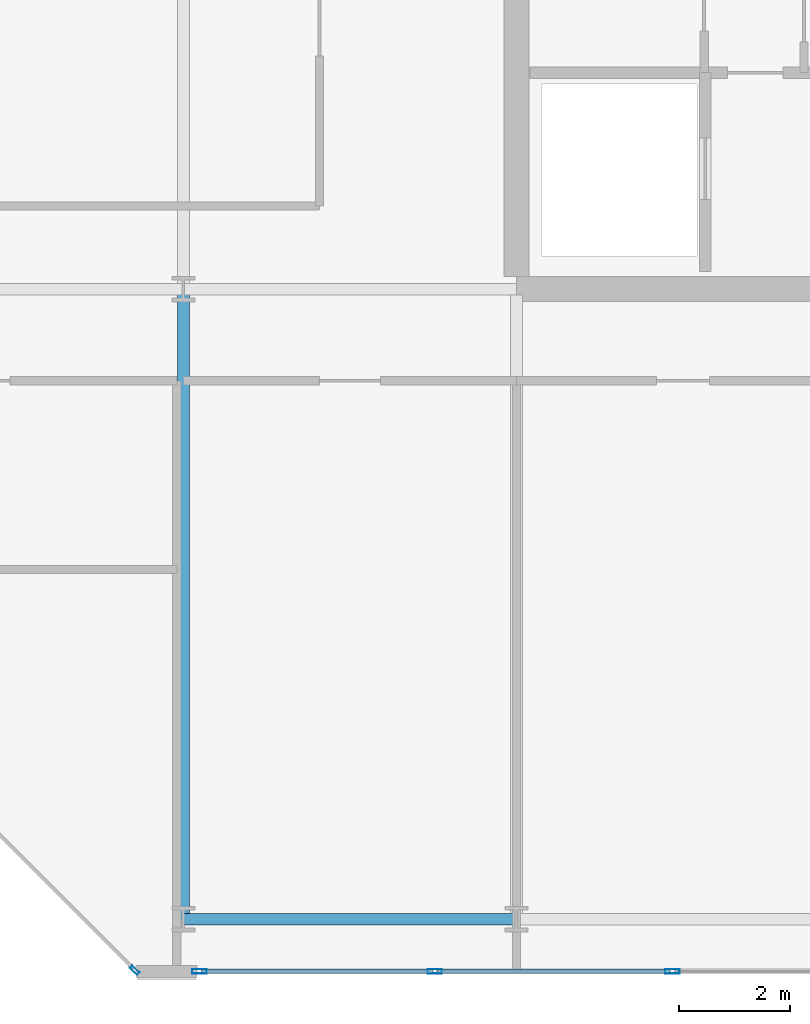
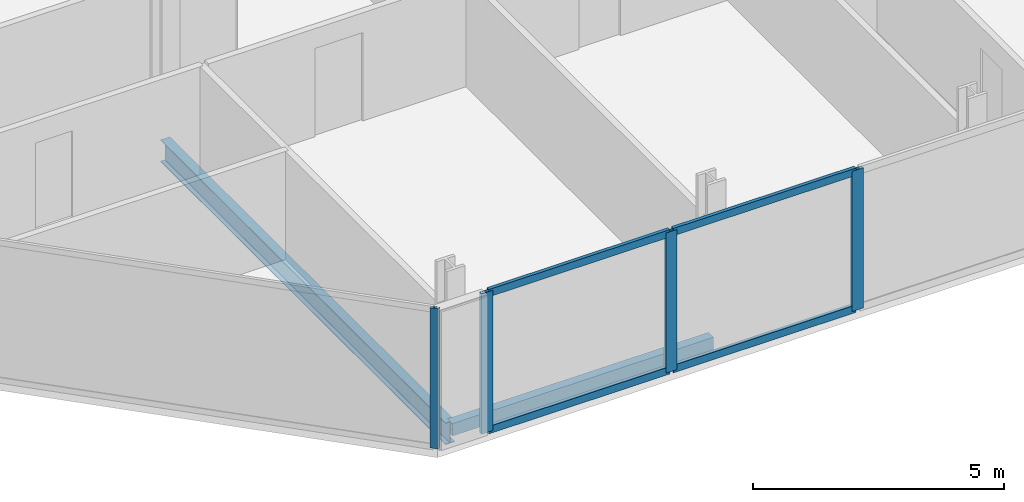
# One storey, part 2 of 17: 8 members, 2 beams, 2 elements without a shape of their own.
"""IFC4 building model written with IfcOpenShell, lengths in metres."""

from ifc_helpers import new_model, si_unit, direction, frame, origin, origin_2d, place, context, subcontext, project, spatial, hollow_rectangle, i_section, extrude, material, layer, layer_set, material_profile, profile_set, type_object, element, aggregate, save


model = new_model("IFC4")

# Units and contexts
model_context = context("Model", 3, precision=1e-05, world=origin(), true_north=direction((0.0, 1.0)))
body_context = subcontext(model_context, "Body", "Model", "MODEL_VIEW")
ifc_project = project(units=[si_unit("LENGTHUNIT", "METRE"), si_unit("AREAUNIT", "SQUARE_METRE"), si_unit("VOLUMEUNIT", "CUBIC_METRE"), si_unit("PLANEANGLEUNIT", "RADIAN"), si_unit("MASSUNIT", "GRAM", prefix="KILO")], contexts=[model_context])

# Site, building, storey
site_placement = place(None, origin())
site = spatial("IfcSite", under=ifc_project, at=site_placement, CompositionType="ELEMENT")
building_placement = place(site_placement, origin())
building = spatial("IfcBuilding", under=site, at=building_placement, Name="Tanjung Sevakor Pilgrim Tower", CompositionType="ELEMENT")
storey_placement = place(building_placement, frame((0.0, 0.0, 267.9599609375)))
storey = spatial("IfcBuildingStorey", under=building, at=storey_placement, Name="L75", CompositionType="ELEMENT", Elevation=267.9599609375)

# Beams
ifc_material_1 = material(Name="Steel S355J2", Category="steel")
ifc_material_profile_1 = material_profile(ifc_material_1, i_section(OverallWidth=0.210693359375, OverallDepth=0.53955078125, WebThickness=0.01171875, FlangeThickness=0.018798828125, FilletRadius=0.0126953125, at=origin_2d()))
ifc_profile_set_1 = profile_set([ifc_material_profile_1], Name="Steel S355J2")
beam_type_1 = type_object("IfcBeamType", Name="BM-B-G6-UB_533x210x109", PredefinedType="BEAM", material=ifc_profile_set_1)
beam_1_placement = place(storey_placement, frame((72.0, 13.25, -0.48974609375), z_axis=(0.0, 1.0, 0.0), x_axis=(-1.0, 0.0, 0.0)))
element("IfcBeam", 1, at=beam_1_placement, inside=storey, type_object=beam_type_1, Name="L75 EAST Girder 002", PredefinedType="BEAM", context=body_context, shape_type="SweptSolid", body=[
    extrude(i_section(OverallWidth=0.210693359375, OverallDepth=0.53955078125, WebThickness=0.01171875, FlangeThickness=0.018798828125, FilletRadius=0.0126953125, at=origin_2d()), origin(), (0.0, 0.0, 1.0), 11.35009765625),
])
ifc_material_2 = material(Name="Steel S355J2", Category="steel")
ifc_material_profile_2 = material_profile(ifc_material_2, hollow_rectangle(XDim=0.199951171875, YDim=0.300048828125, WallThickness=0.012451171875, at=origin_2d()))
ifc_profile_set_2 = profile_set([ifc_material_profile_2], Name="Steel S355J2")
beam_type_2 = type_object("IfcBeamType", Name="BM-B-SP3-RHS_300x200x12.5", PredefinedType="SPANDREL", material=ifc_profile_set_2)
beam_2_placement = place(storey_placement, frame((72.0, 13.25, -0.369873046875), z_axis=(1.0, 0.0, 0.0), x_axis=(0.0, 1.0, 0.0)))
element("IfcBeam", 2, at=beam_2_placement, inside=storey, type_object=beam_type_2, Name="L75 Spandrel EAST S-01", PredefinedType="SPANDREL", context=body_context, shape_type="SweptSolid", body=[
    extrude(hollow_rectangle(XDim=0.199951171875, YDim=0.300048828125, WallThickness=0.012451171875, at=origin_2d()), origin(), (0.0, 0.0, 1.0), 6.0),
])

# Curtain wall, member
ifc_material_3 = material(Name="Aluminium 6063-T6 and Low-E Glass", Category="aluminium")
ifc_layer_1 = layer(ifc_material_3, 0.179931640625)
ifc_layer_set_1 = layer_set([ifc_layer_1], Name="CW-SYS-CHAM")
curtain_wall_type_1 = type_object("IfcCurtainWallType", Name="CW-SYS-CHAM", PredefinedType="NOTDEFINED", material=ifc_layer_set_1)
curtain_wall_1_placement = place(storey_placement, origin())
curtain_wall_1 = element("IfcCurtainWall", 3, at=curtain_wall_1_placement, inside=storey, type_object=curtain_wall_type_1, Name="L75 Curtain Wall CW-CHM-L75-EAST-7", PredefinedType="NOTDEFINED")
ifc_material_4 = material(Name="Aluminium 6063-T6", Category="aluminium")
ifc_material_profile_3 = material_profile(ifc_material_4, hollow_rectangle(XDim=0.06494140625, YDim=0.179931640625, WallThickness=0.00390625, at=origin_2d()))
ifc_profile_set_3 = profile_set([ifc_material_profile_3], Name="Aluminium 6063-T6")
member_type_1 = type_object("IfcMemberType", Name="TYPE-CWM-1", PredefinedType="MULLION", material=ifc_profile_set_3)
member_1_placement = place(storey_placement, frame((71.12255859375, 12.3330078125, 0.0), z_axis=(0.0, 0.0, 1.0), x_axis=(0.707106781187, 0.707106781187, 0.0)))
member_1 = element("IfcMember", 4, at=member_1_placement, type_object=member_type_1, Name="CW-CHM mullion 2", PredefinedType="MULLION", context=body_context, shape_type="SweptSolid", body=[
    extrude(hollow_rectangle(XDim=0.06494140625, YDim=0.179931640625, WallThickness=0.00390625, at=origin_2d()), origin(), (0.0, 0.0, 1.0), 3.41015625),
])
aggregate(curtain_wall_1, [member_1])

# Curtain wall, members
ifc_material_5 = material(Name="Aluminium 6063-T6 and Low-E Glass", Category="aluminium")
ifc_layer_2 = layer(ifc_material_5, 0.219970703125)
ifc_layer_set_2 = layer_set([ifc_layer_2], Name="CW-SYS-CRNE")
curtain_wall_type_2 = type_object("IfcCurtainWallType", Name="CW-SYS-CRNE", PredefinedType="NOTDEFINED", material=ifc_layer_set_2)
curtain_wall_2_placement = place(storey_placement, origin())
curtain_wall_2 = element("IfcCurtainWall", 5, at=curtain_wall_2_placement, inside=storey, type_object=curtain_wall_type_2, Name="L75 Curtain Wall CW-CRN-L75-EAST-0-1", PredefinedType="NOTDEFINED")
ifc_material_6 = material(Name="Aluminium 6063-T6", Category="aluminium")
ifc_material_profile_4 = material_profile(ifc_material_6, hollow_rectangle(XDim=0.080078125, YDim=0.260009765625, WallThickness=0.0048828125, at=origin_2d()))
ifc_profile_set_4 = profile_set([ifc_material_profile_4], Name="Aluminium 6063-T6")
member_type_2 = type_object("IfcMemberType", Name="TYPE-CWM-3", PredefinedType="MULLION", material=ifc_profile_set_4)
member_2_placement = place(storey_placement, frame((72.28564453125, 12.31005859375, 0.0), z_axis=(0.0, 0.0, 1.0), x_axis=(0.0, 1.0, 0.0)))
member_2 = element("IfcMember", 6, at=member_2_placement, type_object=member_type_2, Name="CW-CRE mullion 1", PredefinedType="MULLION", context=body_context, shape_type="SweptSolid", body=[
    extrude(hollow_rectangle(XDim=0.080078125, YDim=0.260009765625, WallThickness=0.0048828125, at=origin_2d()), origin(), (0.0, 0.0, 1.0), 3.41015625),
])
member_3_placement = place(storey_placement, frame((76.52734375, 12.31005859375, 0.0), z_axis=(0.0, 0.0, 1.0), x_axis=(0.0, 1.0, 0.0)))
member_3 = element("IfcMember", 7, at=member_3_placement, type_object=member_type_2, Name="CW-CRE mullion 2", PredefinedType="MULLION", context=body_context, shape_type="SweptSolid", body=[
    extrude(hollow_rectangle(XDim=0.080078125, YDim=0.260009765625, WallThickness=0.0048828125, at=origin_2d()), origin(), (0.0, 0.0, 1.0), 3.41015625),
])
member_4_placement = place(storey_placement, frame((80.80908203125, 12.31005859375, 0.0), z_axis=(0.0, 0.0, 1.0), x_axis=(0.0, 1.0, 0.0)))
member_4 = element("IfcMember", 8, at=member_4_placement, type_object=member_type_2, Name="CW-CRE mullion 3", PredefinedType="MULLION", context=body_context, shape_type="SweptSolid", body=[
    extrude(hollow_rectangle(XDim=0.080078125, YDim=0.260009765625, WallThickness=0.0048828125, at=origin_2d()), origin(), (0.0, 0.0, 1.0), 3.41015625),
])
ifc_material_7 = material(Name="Aluminium 6063-T6", Category="aluminium")
ifc_material_profile_5 = material_profile(ifc_material_7, hollow_rectangle(XDim=0.080078125, YDim=0.179931640625, WallThickness=0.0048828125, at=origin_2d()))
ifc_profile_set_5 = profile_set([ifc_material_profile_5], Name="Aluminium 6063-T6")
member_type_3 = type_object("IfcMemberType", Name="TYPE-CWT-3", PredefinedType="USERDEFINED", material=ifc_profile_set_5)
member_5_placement = place(storey_placement, frame((72.32568359375, 12.31005859375, 0.0400390625), z_axis=(1.0, 0.0, 0.0), x_axis=(0.0, 1.0, 0.0)))
member_5 = element("IfcMember", 9, at=member_5_placement, type_object=member_type_3, Name="CW-CRE transom 1.1", ObjectType="TRANSOM", PredefinedType="USERDEFINED", context=body_context, shape_type="SweptSolid", body=[
    extrude(hollow_rectangle(XDim=0.080078125, YDim=0.179931640625, WallThickness=0.0048828125, at=origin_2d()), origin(), (0.0, 0.0, 1.0), 4.16162109375),
])
member_6_placement = place(storey_placement, frame((72.32568359375, 12.31005859375, 3.3701171875), z_axis=(1.0, 0.0, 0.0), x_axis=(0.0, 1.0, 0.0)))
member_6 = element("IfcMember", 10, at=member_6_placement, type_object=member_type_3, Name="CW-CRE transom 1.2", ObjectType="TRANSOM", PredefinedType="USERDEFINED", context=body_context, shape_type="SweptSolid", body=[
    extrude(hollow_rectangle(XDim=0.080078125, YDim=0.179931640625, WallThickness=0.0048828125, at=origin_2d()), origin(), (0.0, 0.0, 1.0), 4.16162109375),
])
member_7_placement = place(storey_placement, frame((76.5673828125, 12.31005859375, 0.0400390625), z_axis=(1.0, 0.0, 0.0), x_axis=(0.0, 1.0, 0.0)))
member_7 = element("IfcMember", 11, at=member_7_placement, type_object=member_type_3, Name="CW-CRE transom 2.1", ObjectType="TRANSOM", PredefinedType="USERDEFINED", context=body_context, shape_type="SweptSolid", body=[
    extrude(hollow_rectangle(XDim=0.080078125, YDim=0.179931640625, WallThickness=0.0048828125, at=origin_2d()), origin(), (0.0, 0.0, 1.0), 4.20166015625),
])
member_8_placement = place(storey_placement, frame((76.5673828125, 12.31005859375, 3.3701171875), z_axis=(1.0, 0.0, 0.0), x_axis=(0.0, 1.0, 0.0)))
member_8 = element("IfcMember", 12, at=member_8_placement, type_object=member_type_3, Name="CW-CRE transom 2.2", ObjectType="TRANSOM", PredefinedType="USERDEFINED", context=body_context, shape_type="SweptSolid", body=[
    extrude(hollow_rectangle(XDim=0.080078125, YDim=0.179931640625, WallThickness=0.0048828125, at=origin_2d()), origin(), (0.0, 0.0, 1.0), 4.20166015625),
])
aggregate(curtain_wall_2, [member_2, member_3, member_4, member_5, member_6, member_7, member_8])

save(model, "model.ifc")
